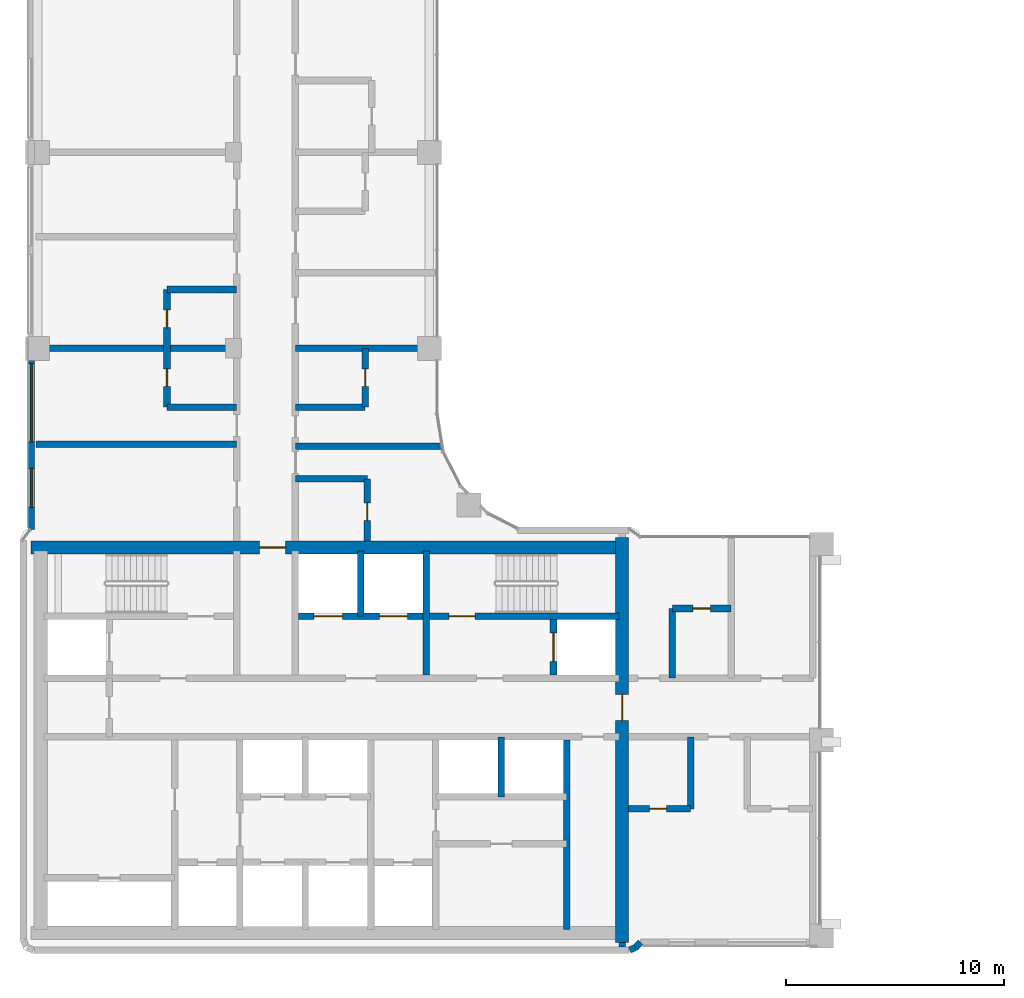
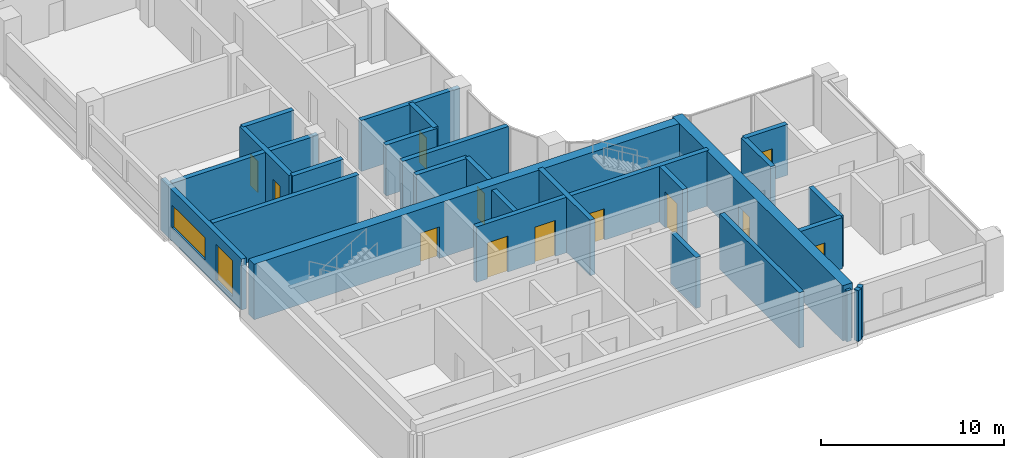
# One storey, part 11 of 21: 27 walls, 12 doors, 2 windows, 14 openings.
"""IFC4 building model written with IfcOpenShell, lengths in metres."""

from ifc_helpers import new_model, si_unit, direction, frame, frame_2d, origin, place, context, subcontext, project, spatial, rectangle, extrude, material, layer, layer_set, type_object, element, fill, save


model = new_model("IFC4")

# Units and contexts
model_context = context("Model", 3, precision=1e-05, world=origin(), true_north=direction((0.0, 1.0)))
body_context = subcontext(model_context, "Body", "Model", "MODEL_VIEW")
ifc_project = project(units=[si_unit("LENGTHUNIT", "METRE"), si_unit("AREAUNIT", "SQUARE_METRE"), si_unit("VOLUMEUNIT", "CUBIC_METRE"), si_unit("PLANEANGLEUNIT", "RADIAN"), si_unit("MASSUNIT", "GRAM", prefix="KILO")], contexts=[model_context])

# Site, building, storey
site_placement = place(None, origin())
site = spatial("IfcSite", under=ifc_project, at=site_placement, CompositionType="ELEMENT")
building_placement = place(site_placement, origin())
building = spatial("IfcBuilding", under=site, at=building_placement, Name="Ogive Portal Towers", CompositionType="ELEMENT")
storey_placement = place(building_placement, frame((0.0, 0.0, 157.0)))
storey = spatial("IfcBuildingStorey", under=building, at=storey_placement, Name="L38", CompositionType="ELEMENT", Elevation=157.0)

# Wall
ifc_material_1 = material(Name="Concrete C60/75", Category="concrete")
ifc_layer_1 = layer(ifc_material_1, 0.300048828125)
ifc_layer_set_1 = layer_set([ifc_layer_1], Name="CORE WALL 300 C60")
wall_type_1 = type_object("IfcWallType", Name="CORE WALL 300 C60", PredefinedType="SHEAR", material=ifc_layer_set_1)
wall_1_placement = place(storey_placement, frame((55.800048828125, 21.800048828125, 0.0), z_axis=(0.0, 0.0, 1.0), x_axis=(0.0, 1.0, 0.0)))
element("IfcWall", 1, at=wall_1_placement, inside=storey, type_object=wall_type_1, Name="Core wall X5 L38", PredefinedType="SHEAR", context=body_context, shape_type="SweptSolid", body=[
    extrude(rectangle(XDim=8.699951171875, YDim=0.300048828125, at=frame_2d((4.35009765625, 0.0))), origin(), (0.0, 0.0, 1.0), 3.699951171875),
])

# Wall, openings, doors
wall_2_placement = place(storey_placement, frame((43.5, 36.199951171875, 0.0), z_axis=(0.0, 0.0, 1.0), x_axis=(1.0, 0.0, 0.0)))
wall_2 = element("IfcWall", 2, at=wall_2_placement, inside=storey, type_object=wall_type_1, Name="Core wall Y3b L38", PredefinedType="SHEAR", context=body_context, shape_type="SweptSolid", body=[
    extrude(rectangle(XDim=14.699951171875, YDim=0.300048828125, at=frame_2d((7.35009765625, 0.0))), origin(), (0.0, 0.0, 1.0), 3.699951171875),
])
opening_1_placement = place(wall_2_placement, frame((6.89990234375, 0.0, 0.0)))
opening_1 = element("IfcOpeningElement", 3, at=opening_1_placement, cuts=wall_2, Name="Opening D15-006", PredefinedType="OPENING", context=body_context, shape_type="SweptSolid", body=[
    extrude(rectangle(XDim=1.199951171875, YDim=2.10009765625, at=frame_2d((0.60009765625, 1.050048828125))), frame((0.0, 0.16015625, 0.0), z_axis=(0.0, -1.0, 0.0), x_axis=(1.0, 0.0, 0.0)), (0.0, 0.0, 1.0), 0.320068359375),
])
opening_2_placement = place(wall_2_placement, frame((0.699951171875, 0.0, 0.0)))
opening_2 = element("IfcOpeningElement", 4, at=opening_2_placement, cuts=wall_2, Name="Opening D15-016", PredefinedType="OPENING", context=body_context, shape_type="SweptSolid", body=[
    extrude(rectangle(XDim=1.300048828125, YDim=2.39990234375, at=frame_2d((0.64990234375, 1.199951171875))), frame((0.0, 0.16015625, 0.0), z_axis=(0.0, -1.0, 0.0), x_axis=(1.0, 0.0, 0.0)), (0.0, 0.0, 1.0), 0.320068359375),
])
opening_3_placement = place(wall_2_placement, frame((3.699951171875, 0.0, 0.0)))
opening_3 = element("IfcOpeningElement", 5, at=opening_3_placement, cuts=wall_2, Name="Opening D15-017", PredefinedType="OPENING", context=body_context, shape_type="SweptSolid", body=[
    extrude(rectangle(XDim=1.300048828125, YDim=2.39990234375, at=frame_2d((0.64990234375, 1.199951171875))), frame((0.0, 0.16015625, 0.0), z_axis=(0.0, -1.0, 0.0), x_axis=(1.0, 0.0, 0.0)), (0.0, 0.0, 1.0), 0.320068359375),
])
ifc_material_2 = material(Name="Stainless steel", Category="steel")
door_type_1 = type_object("IfcDoorType", Name="DT-LD-1300x2400", OperationType="SLIDING_TO_LEFT", PredefinedType="DOOR", material=ifc_material_2)
door_1_placement = place(opening_2_placement, origin())
door_1 = element("IfcDoor", 6, at=door_1_placement, inside=storey, type_object=door_type_1, Name="Door D15-016", OperationType="SLIDING_TO_LEFT", OverallHeight=2.39990234375, OverallWidth=1.300048828125, PredefinedType="DOOR", context=body_context, shape_type="SweptSolid", body=[
    extrude(rectangle(XDim=1.300048828125, YDim=2.39990234375, at=frame_2d((0.64990234375, 1.199951171875))), frame((0.0, 0.02490234375, 0.0), z_axis=(0.0, -1.0, 0.0), x_axis=(1.0, 0.0, 0.0)), (0.0, 0.0, 1.0), 0.050048828125),
])
fill(opening_2, door_1)
door_2_placement = place(opening_3_placement, origin())
door_2 = element("IfcDoor", 7, at=door_2_placement, inside=storey, type_object=door_type_1, Name="Door D15-017", OperationType="SLIDING_TO_LEFT", OverallHeight=2.39990234375, OverallWidth=1.300048828125, PredefinedType="DOOR", context=body_context, shape_type="SweptSolid", body=[
    extrude(rectangle(XDim=1.300048828125, YDim=2.39990234375, at=frame_2d((0.64990234375, 1.199951171875))), frame((0.0, 0.02490234375, 0.0), z_axis=(0.0, -1.0, 0.0), x_axis=(1.0, 0.0, 0.0)), (0.0, 0.0, 1.0), 0.050048828125),
])
fill(opening_3, door_2)
ifc_material_3 = material(Name="Steel fire door", Category="steel")
door_type_2 = type_object("IfcDoorType", Name="DT-SWING-1200x2100-FD90S", OperationType="SINGLE_SWING_LEFT", PredefinedType="DOOR", material=ifc_material_3)
door_3_placement = place(opening_1_placement, origin())
door_3 = element("IfcDoor", 8, at=door_3_placement, inside=storey, type_object=door_type_2, Name="Door D15-006", OperationType="SINGLE_SWING_LEFT", OverallHeight=2.10009765625, OverallWidth=1.199951171875, PredefinedType="DOOR", context=body_context, shape_type="SweptSolid", body=[
    extrude(rectangle(XDim=1.199951171875, YDim=2.10009765625, at=frame_2d((0.60009765625, 1.050048828125))), frame((0.0, 0.02490234375, 0.0), z_axis=(0.0, -1.0, 0.0), x_axis=(1.0, 0.0, 0.0)), (0.0, 0.0, 1.0), 0.050048828125),
])
fill(opening_1, door_3)

# Wall
wall_3_placement = place(storey_placement, frame((49.35009765625, 33.5, 0.0), z_axis=(0.0, 0.0, 1.0), x_axis=(0.0, 1.0, 0.0)))
element("IfcWall", 9, at=wall_3_placement, inside=storey, type_object=wall_type_1, Name="Core wall X9 L38", PredefinedType="SHEAR", context=body_context, shape_type="SweptSolid", body=[
    extrude(rectangle(XDim=5.699951171875, YDim=0.300048828125, at=frame_2d((2.85009765625, 0.0))), origin(), (0.0, 0.0, 1.0), 3.699951171875),
])

# Wall, opening, door
wall_4_placement = place(storey_placement, frame((55.199951171875, 33.5, 0.0), z_axis=(0.0, 0.0, 1.0), x_axis=(0.0, 1.0, 0.0)))
wall_4 = element("IfcWall", 10, at=wall_4_placement, inside=storey, type_object=wall_type_1, Name="Core wall X10 L38", PredefinedType="SHEAR", context=body_context, shape_type="SweptSolid", body=[
    extrude(rectangle(XDim=2.550048828125, YDim=0.300048828125, at=frame_2d((1.27490234375, 0.0))), origin(), (0.0, 0.0, 1.0), 3.699951171875),
])
opening_4_placement = place(wall_4_placement, frame((0.625, 0.0, 0.0)))
opening_4 = element("IfcOpeningElement", 11, at=opening_4_placement, cuts=wall_4, Name="Opening D15-019", PredefinedType="OPENING", context=body_context, shape_type="SweptSolid", body=[
    extrude(rectangle(XDim=1.300048828125, YDim=2.39990234375, at=frame_2d((0.64990234375, 1.199951171875))), frame((0.0, 0.16015625, 0.0), z_axis=(0.0, -1.0, 0.0), x_axis=(1.0, 0.0, 0.0)), (0.0, 0.0, 1.0), 0.320068359375),
])
door_4_placement = place(opening_4_placement, origin())
door_4 = element("IfcDoor", 12, at=door_4_placement, inside=storey, type_object=door_type_1, Name="Door D15-019", OperationType="SLIDING_TO_LEFT", OverallHeight=2.39990234375, OverallWidth=1.300048828125, PredefinedType="DOOR", context=body_context, shape_type="SweptSolid", body=[
    extrude(rectangle(XDim=1.300048828125, YDim=2.39990234375, at=frame_2d((0.64990234375, 1.199951171875))), frame((0.0, 0.02490234375, 0.0), z_axis=(0.0, -1.0, 0.0), x_axis=(1.0, 0.0, 0.0)), (0.0, 0.0, 1.0), 0.050048828125),
])
fill(opening_4, door_4)

ifc_layer_2 = layer(ifc_material_1, 0.60009765625)
ifc_layer_set_2 = layer_set([ifc_layer_2], Name="CORE WALL 600 C60")
wall_type_2 = type_object("IfcWallType", Name="CORE WALL 600 C60", PredefinedType="SHEAR", material=ifc_layer_set_2)
wall_5_placement = place(storey_placement, frame((58.35009765625, 21.199951171875, 0.0), z_axis=(0.0, 0.0, 1.0), x_axis=(0.0, 1.0, 0.0)))
wall_5 = element("IfcWall", 13, at=wall_5_placement, inside=storey, type_object=wall_type_2, Name="Core wall E L38", PredefinedType="SHEAR", context=body_context, shape_type="SweptSolid", body=[
    extrude(rectangle(XDim=18.60009765625, YDim=0.60009765625, at=frame_2d((9.300048828125, 0.0))), origin(), (0.0, 0.0, 1.0), 3.699951171875),
])
opening_5_placement = place(wall_5_placement, frame((10.199951171875, 0.0, 0.0)))
opening_5 = element("IfcOpeningElement", 14, at=opening_5_placement, cuts=wall_5, Name="Opening D15-010", PredefinedType="OPENING", context=body_context, shape_type="SweptSolid", body=[
    extrude(rectangle(XDim=1.199951171875, YDim=2.10009765625, at=frame_2d((0.60009765625, 1.050048828125))), frame((0.0, 0.31005859375, 0.0), z_axis=(0.0, -1.0, 0.0), x_axis=(1.0, 0.0, 0.0)), (0.0, 0.0, 1.0), 0.6201171875),
])
door_5_placement = place(opening_5_placement, origin())
door_5 = element("IfcDoor", 15, at=door_5_placement, inside=storey, type_object=door_type_2, Name="Door D15-010", OperationType="SINGLE_SWING_LEFT", OverallHeight=2.10009765625, OverallWidth=1.199951171875, PredefinedType="DOOR", context=body_context, shape_type="SweptSolid", body=[
    extrude(rectangle(XDim=1.199951171875, YDim=2.10009765625, at=frame_2d((0.60009765625, 1.050048828125))), frame((0.0, 0.02490234375, 0.0), z_axis=(0.0, -1.0, 0.0), x_axis=(1.0, 0.0, 0.0)), (0.0, 0.0, 1.0), 0.050048828125),
])
fill(opening_5, door_5)

wall_6_placement = place(storey_placement, frame((31.199951171875, 39.35009765625, 0.0), z_axis=(0.0, 0.0, 1.0), x_axis=(1.0, 0.0, 0.0)))
wall_6 = element("IfcWall", 16, at=wall_6_placement, inside=storey, type_object=wall_type_2, Name="Core wall N L38", PredefinedType="SHEAR", context=body_context, shape_type="SweptSolid", body=[
    extrude(rectangle(XDim=27.0, YDim=0.60009765625, at=frame_2d((13.5, 0.0))), origin(), (0.0, 0.0, 1.0), 3.699951171875),
])
opening_6_placement = place(wall_6_placement, frame((10.5, 0.0, 0.0)))
opening_6 = element("IfcOpeningElement", 17, at=opening_6_placement, cuts=wall_6, Name="Opening D15-011", PredefinedType="OPENING", context=body_context, shape_type="SweptSolid", body=[
    extrude(rectangle(XDim=1.199951171875, YDim=2.10009765625, at=frame_2d((0.60009765625, 1.050048828125))), frame((0.0, 0.31005859375, 0.0), z_axis=(0.0, -1.0, 0.0), x_axis=(1.0, 0.0, 0.0)), (0.0, 0.0, 1.0), 0.6201171875),
])
door_6_placement = place(opening_6_placement, origin())
door_6 = element("IfcDoor", 18, at=door_6_placement, inside=storey, type_object=door_type_2, Name="Door D15-011", OperationType="SINGLE_SWING_RIGHT", OverallHeight=2.10009765625, OverallWidth=1.199951171875, PredefinedType="DOOR", context=body_context, shape_type="SweptSolid", body=[
    extrude(rectangle(XDim=1.199951171875, YDim=2.10009765625, at=frame_2d((0.60009765625, 1.050048828125))), frame((0.0, 0.02490234375, 0.0), z_axis=(0.0, -1.0, 0.0), x_axis=(1.0, 0.0, 0.0)), (0.0, 0.0, 1.0), 0.050048828125),
])
fill(opening_6, door_6)

# Wall, openings, windows
ifc_material_4 = material(Name="Limestone cladding on lightweight block wall", Category="masonry")
ifc_layer_3 = layer(ifc_material_4, 0.300048828125)
ifc_layer_set_3 = layer_set([ifc_layer_3], Name="EXTERNAL WALL 300 STONE")
wall_type_3 = type_object("IfcWallType", Name="EXTERNAL WALL 300 STONE", PredefinedType="SOLIDWALL", material=ifc_layer_set_3)
wall_7_placement = place(storey_placement, frame((31.22509765625, 49.050048828125, 0.0), z_axis=(0.0, 0.0, 1.0), x_axis=(0.0, -1.0, 0.0)))
wall_7 = element("IfcWall", 19, at=wall_7_placement, inside=storey, type_object=wall_type_3, Name="A:L38:f13:r0:wall4", PredefinedType="SOLIDWALL", context=body_context, shape_type="SweptSolid", body=[
    extrude(rectangle(XDim=8.86962890625, YDim=0.300048828125, at=frame_2d((4.434814453125, 0.0))), origin(), (0.0, 0.0, 1.0), 3.39990234375),
])
opening_7_placement = place(wall_7_placement, frame((1.25, 0.0, 0.89990234375)))
opening_7 = element("IfcOpeningElement", 20, at=opening_7_placement, cuts=wall_7, Name="Opening WN12", PredefinedType="OPENING", context=body_context, shape_type="SweptSolid", body=[
    extrude(rectangle(XDim=3.60009765625, YDim=1.5, at=frame_2d((1.800048828125, 0.75))), frame((0.0, 0.16015625, 0.0), z_axis=(0.0, -1.0, 0.0), x_axis=(1.0, 0.0, 0.0)), (0.0, 0.0, 1.0), 0.320068359375),
])
opening_8_placement = place(wall_7_placement, frame((6.059814453125, 0.0, 0.300048828125)))
opening_8 = element("IfcOpeningElement", 21, at=opening_8_placement, cuts=wall_7, Name="Opening WN10", PredefinedType="OPENING", context=body_context, shape_type="SweptSolid", body=[
    extrude(rectangle(XDim=1.800048828125, YDim=2.39990234375, at=frame_2d((0.89990234375, 1.199951171875))), frame((0.0, 0.16015625, 0.0), z_axis=(0.0, -1.0, 0.0), x_axis=(1.0, 0.0, 0.0)), (0.0, 0.0, 1.0), 0.320068359375),
])
ifc_material_5 = material(Name="Glass, clear low-iron insulated glazing", Category="glass")
window_type_1 = type_object("IfcWindowType", Name="WINDOW RIBBON 3600x1500", PartitioningType="TRIPLE_PANEL_VERTICAL", PredefinedType="WINDOW", material=ifc_material_5)
window_1_placement = place(opening_7_placement, origin())
window_1 = element("IfcWindow", 22, at=window_1_placement, inside=storey, type_object=window_type_1, Name="A:L38:f13:r0:w4", OverallHeight=1.5, OverallWidth=3.60009765625, PartitioningType="SINGLE_PANEL", PredefinedType="WINDOW", context=body_context, shape_type="SweptSolid", body=[
    extrude(rectangle(XDim=3.60009765625, YDim=1.5, at=frame_2d((1.800048828125, 0.75))), frame((0.0, 0.030029296875, 0.0), z_axis=(0.0, -1.0, 0.0), x_axis=(1.0, 0.0, 0.0)), (0.0, 0.0, 1.0), 0.06005859375),
])
fill(opening_7, window_1)
window_type_2 = type_object("IfcWindowType", Name="WINDOW SUITE CORNER 1800x2400", PartitioningType="DOUBLE_PANEL_VERTICAL", PredefinedType="WINDOW", material=ifc_material_5)
window_2_placement = place(opening_8_placement, origin())
window_2 = element("IfcWindow", 23, at=window_2_placement, inside=storey, type_object=window_type_2, Name="A:L38:f13:r0:w5", OverallHeight=2.39990234375, OverallWidth=1.800048828125, PartitioningType="SINGLE_PANEL", PredefinedType="WINDOW", context=body_context, shape_type="SweptSolid", body=[
    extrude(rectangle(XDim=1.800048828125, YDim=2.39990234375, at=frame_2d((0.89990234375, 1.199951171875))), frame((0.0, 0.030029296875, 0.0), z_axis=(0.0, -1.0, 0.0), x_axis=(1.0, 0.0, 0.0)), (0.0, 0.0, 1.0), 0.06005859375),
])
fill(opening_8, window_2)

# Walls
wall_8_placement = place(storey_placement, frame((58.69775390625, 20.861328125, 0.0), z_axis=(0.0, 0.0, 1.0), x_axis=(0.923757413239, 0.38297812142, 0.0)))
element("IfcWall", 24, at=wall_8_placement, inside=storey, type_object=wall_type_3, Name="A:L38:f19:r0:wall", PredefinedType="SOLIDWALL", context=body_context, shape_type="SweptSolid", body=[
    extrude(rectangle(XDim=0.275390625, YDim=0.300048828125, at=frame_2d((0.1376953125, 0.0))), origin(), (0.0, 0.0, 1.0), 3.39990234375),
])
wall_9_placement = place(storey_placement, frame((58.9521484375, 20.966796875, 0.0), z_axis=(0.0, 0.0, 1.0), x_axis=(0.702144810536, 0.712034174065, 0.0)))
element("IfcWall", 25, at=wall_9_placement, inside=storey, type_object=wall_type_3, Name="A:L38:f20:r0:wall", PredefinedType="SOLIDWALL", context=body_context, shape_type="SweptSolid", body=[
    extrude(rectangle(XDim=0.345703125, YDim=0.300048828125, at=frame_2d((0.1728515625, 0.0))), origin(), (0.0, 0.0, 1.0), 3.39990234375),
])
ifc_material_6 = material(Name="Gypsum board partition on steel studs", Category="steel")
ifc_layer_4 = layer(ifc_material_6, 0.300048828125)
ifc_layer_set_4 = layer_set([ifc_layer_4], Name="WT-PART-300-EI 120")
wall_type_4 = type_object("IfcWallType", Name="WT-PART-300-EI 120", PredefinedType="PARTITIONING", material=ifc_layer_set_4)
wall_10_placement = place(storey_placement, frame((58.35009765625, 21.199951171875, 0.0), z_axis=(0.0, 0.0, 1.0), x_axis=(0.0, -1.0, 0.0)))
element("IfcWall", 26, at=wall_10_placement, inside=storey, type_object=wall_type_4, Name="Wall L38:wc01", PredefinedType="PARTITIONING", context=body_context, shape_type="SweptSolid", body=[
    extrude(rectangle(XDim=0.18994140625, YDim=0.300048828125, at=frame_2d((0.094970703125, 0.0))), origin(), (0.0, 0.0, 1.0), 3.39990234375),
])

# Wall, opening, door
ifc_layer_5 = layer(ifc_material_6, 0.300048828125)
ifc_layer_set_5 = layer_set([ifc_layer_5], Name="WT-PART-300-EI 60")
wall_type_5 = type_object("IfcWallType", Name="WT-PART-300-EI 60", PredefinedType="PARTITIONING", material=ifc_layer_set_5)
wall_11_placement = place(storey_placement, frame((58.64990234375, 27.35009765625, 0.0), z_axis=(0.0, 0.0, 1.0), x_axis=(1.0, 0.0, 0.0)))
wall_11 = element("IfcWall", 27, at=wall_11_placement, inside=storey, type_object=wall_type_5, Name="Wall L38:w002", PredefinedType="PARTITIONING", context=body_context, shape_type="SweptSolid", body=[
    extrude(rectangle(XDim=2.85009765625, YDim=0.300048828125, at=frame_2d((1.425048828125, 0.0))), origin(), (0.0, 0.0, 1.0), 3.39990234375),
])
opening_9_placement = place(wall_11_placement, frame((0.949951171875, 0.0, 0.0)))
opening_9 = element("IfcOpeningElement", 28, at=opening_9_placement, cuts=wall_11, Name="Opening D15-028", PredefinedType="OPENING", context=body_context, shape_type="SweptSolid", body=[
    extrude(rectangle(XDim=0.800048828125, YDim=2.10009765625, at=frame_2d((0.39990234375, 1.050048828125))), frame((0.0, 0.16015625, 0.0), z_axis=(0.0, -1.0, 0.0), x_axis=(1.0, 0.0, 0.0)), (0.0, 0.0, 1.0), 0.320068359375),
])
door_type_3 = type_object("IfcDoorType", Name="DT-BATH-800x2100-FD60S", OperationType="SINGLE_SWING_LEFT", PredefinedType="DOOR", material=ifc_material_3)
door_7_placement = place(opening_9_placement, origin())
door_7 = element("IfcDoor", 29, at=door_7_placement, inside=storey, type_object=door_type_3, Name="Door D15-028", OperationType="SINGLE_SWING_LEFT", OverallHeight=2.10009765625, OverallWidth=0.800048828125, PredefinedType="DOOR", context=body_context, shape_type="SweptSolid", body=[
    extrude(rectangle(XDim=0.800048828125, YDim=2.10009765625, at=frame_2d((0.39990234375, 1.050048828125))), frame((0.0, 0.02490234375, 0.0), z_axis=(0.0, -1.0, 0.0), x_axis=(1.0, 0.0, 0.0)), (0.0, 0.0, 1.0), 0.050048828125),
])
fill(opening_9, door_7)

wall_12_placement = place(storey_placement, frame((60.656005859375, 36.550048828125, 0.0), z_axis=(0.0, 0.0, 1.0), x_axis=(1.0, 0.0, 0.0)))
wall_12 = element("IfcWall", 30, at=wall_12_placement, inside=storey, type_object=wall_type_5, Name="Wall L38:w008", PredefinedType="PARTITIONING", context=body_context, shape_type="SweptSolid", body=[
    extrude(rectangle(XDim=2.699951171875, YDim=0.300048828125, at=frame_2d((1.35009765625, 0.0))), origin(), (0.0, 0.0, 1.0), 3.39990234375),
])
opening_10_placement = place(wall_12_placement, frame((0.949951171875, 0.0, 0.0)))
opening_10 = element("IfcOpeningElement", 31, at=opening_10_placement, cuts=wall_12, Name="Opening D15-025", PredefinedType="OPENING", context=body_context, shape_type="SweptSolid", body=[
    extrude(rectangle(XDim=0.800048828125, YDim=2.10009765625, at=frame_2d((0.39990234375, 1.050048828125))), frame((0.0, 0.16015625, 0.0), z_axis=(0.0, -1.0, 0.0), x_axis=(1.0, 0.0, 0.0)), (0.0, 0.0, 1.0), 0.320068359375),
])
door_8_placement = place(opening_10_placement, origin())
door_8 = element("IfcDoor", 32, at=door_8_placement, inside=storey, type_object=door_type_3, Name="Door D15-025", OperationType="SINGLE_SWING_LEFT", OverallHeight=2.10009765625, OverallWidth=0.800048828125, PredefinedType="DOOR", context=body_context, shape_type="SweptSolid", body=[
    extrude(rectangle(XDim=0.800048828125, YDim=2.10009765625, at=frame_2d((0.39990234375, 1.050048828125))), frame((0.0, 0.02490234375, 0.0), z_axis=(0.0, -1.0, 0.0), x_axis=(1.0, 0.0, 0.0)), (0.0, 0.0, 1.0), 0.050048828125),
])
fill(opening_10, door_8)

# Walls
wall_13_placement = place(storey_placement, frame((43.35009765625, 42.5, 0.0), z_axis=(0.0, 0.0, 1.0), x_axis=(1.0, 0.0, 0.0)))
element("IfcWall", 33, at=wall_13_placement, inside=storey, type_object=wall_type_5, Name="Wall L38:w009", PredefinedType="PARTITIONING", context=body_context, shape_type="SweptSolid", body=[
    extrude(rectangle(XDim=3.2998046875, YDim=0.300048828125, at=frame_2d((1.64990234375, 0.0))), origin(), (0.0, 0.0, 1.0), 3.39990234375),
])
wall_14_placement = place(storey_placement, frame((43.35009765625, 44.0, 0.0), z_axis=(0.0, 0.0, 1.0), x_axis=(1.0, 0.0, 0.0)))
element("IfcWall", 34, at=wall_14_placement, inside=storey, type_object=wall_type_5, Name="Wall L38:w010", PredefinedType="PARTITIONING", context=body_context, shape_type="SweptSolid", body=[
    extrude(rectangle(XDim=6.700927734375, YDim=0.300048828125, at=frame_2d((3.3505859375, 0.0))), origin(), (0.0, 0.0, 1.0), 3.39990234375),
])
wall_15_placement = place(storey_placement, frame((31.425048828125, 44.10009765625, 0.0), z_axis=(0.0, 0.0, 1.0), x_axis=(1.0, 0.0, 0.0)))
element("IfcWall", 35, at=wall_15_placement, inside=storey, type_object=wall_type_5, Name="Wall L38:w011", PredefinedType="PARTITIONING", context=body_context, shape_type="SweptSolid", body=[
    extrude(rectangle(XDim=9.224853515625, YDim=0.300048828125, at=frame_2d((4.6123046875, 0.0))), origin(), (0.0, 0.0, 1.0), 3.39990234375),
])
for number, where, z_axis, x_axis, name in (
    (36, (37.449951171875, 45.800048828125, 0.0), (0.0, 0.0, 1.0), (1.0, 0.0, 0.0), "Wall L38:w012"),
    (37, (43.35009765625, 45.800048828125, 0.0), (0.0, 0.0, 1.0), (1.0, 0.0, 0.0), "Wall L38:w013"),
):
    element("IfcWall", number, at=place(storey_placement, frame(where, z_axis=z_axis, x_axis=x_axis)), inside=storey, type_object=wall_type_5, Name=name, PredefinedType="PARTITIONING", context=body_context, shape_type="SweptSolid", body=[
        extrude(rectangle(XDim=3.199951171875, YDim=0.300048828125, at=frame_2d((1.60009765625, 0.0))), origin(), (0.0, 0.0, 1.0), 3.39990234375),
    ])
wall_16_placement = place(storey_placement, frame((31.425048828125, 48.5, 0.0), z_axis=(0.0, 0.0, 1.0), x_axis=(1.0, 0.0, 0.0)))
element("IfcWall", 38, at=wall_16_placement, inside=storey, type_object=wall_type_5, Name="Wall L38:w014", PredefinedType="PARTITIONING", context=body_context, shape_type="SweptSolid", body=[
    extrude(rectangle(XDim=9.224853515625, YDim=0.300048828125, at=frame_2d((4.6123046875, 0.0))), origin(), (0.0, 0.0, 1.0), 3.39990234375),
])
wall_17_placement = place(storey_placement, frame((43.35009765625, 48.5, 0.0), z_axis=(0.0, 0.0, 1.0), x_axis=(1.0, 0.0, 0.0)))
element("IfcWall", 39, at=wall_17_placement, inside=storey, type_object=wall_type_5, Name="Wall L38:w015", PredefinedType="PARTITIONING", context=body_context, shape_type="SweptSolid", body=[
    extrude(rectangle(XDim=6.224853515625, YDim=0.300048828125, at=frame_2d((3.1123046875, 0.0))), origin(), (0.0, 0.0, 1.0), 3.39990234375),
])
wall_18_placement = place(storey_placement, frame((37.449951171875, 51.199951171875, 0.0), z_axis=(0.0, 0.0, 1.0), x_axis=(1.0, 0.0, 0.0)))
element("IfcWall", 40, at=wall_18_placement, inside=storey, type_object=wall_type_5, Name="Wall L38:w016", PredefinedType="PARTITIONING", context=body_context, shape_type="SweptSolid", body=[
    extrude(rectangle(XDim=3.199951171875, YDim=0.300048828125, at=frame_2d((1.60009765625, 0.0))), origin(), (0.0, 0.0, 1.0), 3.39990234375),
])

# Wall, openings, doors
wall_19_placement = place(storey_placement, frame((37.449951171875, 45.800048828125, 0.0), z_axis=(0.0, 0.0, 1.0), x_axis=(0.0, 1.0, 0.0)))
wall_19 = element("IfcWall", 41, at=wall_19_placement, inside=storey, type_object=wall_type_5, Name="Wall L38:w028", PredefinedType="PARTITIONING", context=body_context, shape_type="SweptSolid", body=[
    extrude(rectangle(XDim=5.39990234375, YDim=0.300048828125, at=frame_2d((2.699951171875, 0.0))), origin(), (0.0, 0.0, 1.0), 3.39990234375),
])
opening_11_placement = place(wall_19_placement, frame((0.949951171875, 0.0, 0.0)))
opening_11 = element("IfcOpeningElement", 42, at=opening_11_placement, cuts=wall_19, Name="Opening D15-036", PredefinedType="OPENING", context=body_context, shape_type="SweptSolid", body=[
    extrude(rectangle(XDim=0.800048828125, YDim=2.10009765625, at=frame_2d((0.39990234375, 1.050048828125))), frame((0.0, 0.16015625, 0.0), z_axis=(0.0, -1.0, 0.0), x_axis=(1.0, 0.0, 0.0)), (0.0, 0.0, 1.0), 0.320068359375),
])
opening_12_placement = place(wall_19_placement, frame((3.64990234375, 0.0, 0.0)))
opening_12 = element("IfcOpeningElement", 43, at=opening_12_placement, cuts=wall_19, Name="Opening D15-041", PredefinedType="OPENING", context=body_context, shape_type="SweptSolid", body=[
    extrude(rectangle(XDim=0.800048828125, YDim=2.10009765625, at=frame_2d((0.39990234375, 1.050048828125))), frame((0.0, 0.16015625, 0.0), z_axis=(0.0, -1.0, 0.0), x_axis=(1.0, 0.0, 0.0)), (0.0, 0.0, 1.0), 0.320068359375),
])
door_9_placement = place(opening_11_placement, origin())
door_9 = element("IfcDoor", 44, at=door_9_placement, inside=storey, type_object=door_type_3, Name="Door D15-036", OperationType="SINGLE_SWING_RIGHT", OverallHeight=2.10009765625, OverallWidth=0.800048828125, PredefinedType="DOOR", context=body_context, shape_type="SweptSolid", body=[
    extrude(rectangle(XDim=0.800048828125, YDim=2.10009765625, at=frame_2d((0.39990234375, 1.050048828125))), frame((0.0, 0.02490234375, 0.0), z_axis=(0.0, -1.0, 0.0), x_axis=(1.0, 0.0, 0.0)), (0.0, 0.0, 1.0), 0.050048828125),
])
fill(opening_11, door_9)
door_10_placement = place(opening_12_placement, origin())
door_10 = element("IfcDoor", 45, at=door_10_placement, inside=storey, type_object=door_type_3, Name="Door D15-041", OperationType="SINGLE_SWING_LEFT", OverallHeight=2.10009765625, OverallWidth=0.800048828125, PredefinedType="DOOR", context=body_context, shape_type="SweptSolid", body=[
    extrude(rectangle(XDim=0.800048828125, YDim=2.10009765625, at=frame_2d((0.39990234375, 1.050048828125))), frame((0.0, 0.02490234375, 0.0), z_axis=(0.0, -1.0, 0.0), x_axis=(1.0, 0.0, 0.0)), (0.0, 0.0, 1.0), 0.050048828125),
])
fill(opening_12, door_10)

# Wall, opening, door
wall_20_placement = place(storey_placement, frame((46.550048828125, 45.800048828125, 0.0), z_axis=(0.0, 0.0, 1.0), x_axis=(0.0, 1.0, 0.0)))
wall_20 = element("IfcWall", 46, at=wall_20_placement, inside=storey, type_object=wall_type_5, Name="Wall L38:w034", PredefinedType="PARTITIONING", context=body_context, shape_type="SweptSolid", body=[
    extrude(rectangle(XDim=2.699951171875, YDim=0.300048828125, at=frame_2d((1.35009765625, 0.0))), origin(), (0.0, 0.0, 1.0), 3.39990234375),
])
opening_13_placement = place(wall_20_placement, frame((0.949951171875, 0.0, 0.0)))
opening_13 = element("IfcOpeningElement", 47, at=opening_13_placement, cuts=wall_20, Name="Opening D15-033", PredefinedType="OPENING", context=body_context, shape_type="SweptSolid", body=[
    extrude(rectangle(XDim=0.800048828125, YDim=2.10009765625, at=frame_2d((0.39990234375, 1.050048828125))), frame((0.0, 0.16015625, 0.0), z_axis=(0.0, -1.0, 0.0), x_axis=(1.0, 0.0, 0.0)), (0.0, 0.0, 1.0), 0.320068359375),
])
door_11_placement = place(opening_13_placement, origin())
door_11 = element("IfcDoor", 48, at=door_11_placement, inside=storey, type_object=door_type_3, Name="Door D15-033", OperationType="SINGLE_SWING_RIGHT", OverallHeight=2.10009765625, OverallWidth=0.800048828125, PredefinedType="DOOR", context=body_context, shape_type="SweptSolid", body=[
    extrude(rectangle(XDim=0.800048828125, YDim=2.10009765625, at=frame_2d((0.39990234375, 1.050048828125))), frame((0.0, 0.02490234375, 0.0), z_axis=(0.0, -1.0, 0.0), x_axis=(1.0, 0.0, 0.0)), (0.0, 0.0, 1.0), 0.050048828125),
])
fill(opening_13, door_11)

wall_21_placement = place(storey_placement, frame((46.64990234375, 39.64990234375, 0.0), z_axis=(0.0, 0.0, 1.0), x_axis=(0.0, 1.0, 0.0)))
wall_21 = element("IfcWall", 49, at=wall_21_placement, inside=storey, type_object=wall_type_5, Name="Wall L38:w036", PredefinedType="PARTITIONING", context=body_context, shape_type="SweptSolid", body=[
    extrude(rectangle(XDim=2.85009765625, YDim=0.300048828125, at=frame_2d((1.425048828125, 0.0))), origin(), (0.0, 0.0, 1.0), 3.39990234375),
])
opening_14_placement = place(wall_21_placement, frame((0.949951171875, 0.0, 0.0)))
opening_14 = element("IfcOpeningElement", 50, at=opening_14_placement, cuts=wall_21, Name="Opening D15-031", PredefinedType="OPENING", context=body_context, shape_type="SweptSolid", body=[
    extrude(rectangle(XDim=0.800048828125, YDim=2.10009765625, at=frame_2d((0.39990234375, 1.050048828125))), frame((0.0, 0.16015625, 0.0), z_axis=(0.0, -1.0, 0.0), x_axis=(1.0, 0.0, 0.0)), (0.0, 0.0, 1.0), 0.320068359375),
])
door_12_placement = place(opening_14_placement, origin())
door_12 = element("IfcDoor", 51, at=door_12_placement, inside=storey, type_object=door_type_3, Name="Door D15-031", OperationType="SINGLE_SWING_LEFT", OverallHeight=2.10009765625, OverallWidth=0.800048828125, PredefinedType="DOOR", context=body_context, shape_type="SweptSolid", body=[
    extrude(rectangle(XDim=0.800048828125, YDim=2.10009765625, at=frame_2d((0.39990234375, 1.050048828125))), frame((0.0, 0.02490234375, 0.0), z_axis=(0.0, -1.0, 0.0), x_axis=(1.0, 0.0, 0.0)), (0.0, 0.0, 1.0), 0.050048828125),
])
fill(opening_14, door_12)

# Walls
wall_22_placement = place(storey_placement, frame((60.656005859375, 33.35009765625, 0.0), z_axis=(0.0, 0.0, 1.0), x_axis=(0.0, 1.0, 0.0)))
element("IfcWall", 52, at=wall_22_placement, inside=storey, type_object=wall_type_5, Name="Wall L38:w038", PredefinedType="PARTITIONING", context=body_context, shape_type="SweptSolid", body=[
    extrude(rectangle(XDim=3.199951171875, YDim=0.300048828125, at=frame_2d((1.60009765625, 0.0))), origin(), (0.0, 0.0, 1.0), 3.39990234375),
])
wall_23_placement = place(storey_placement, frame((61.5, 27.35009765625, 0.0), z_axis=(0.0, 0.0, 1.0), x_axis=(0.0, 1.0, 0.0)))
element("IfcWall", 53, at=wall_23_placement, inside=storey, type_object=wall_type_5, Name="Wall L38:w039", PredefinedType="PARTITIONING", context=body_context, shape_type="SweptSolid", body=[
    extrude(rectangle(XDim=3.2998046875, YDim=0.300048828125, at=frame_2d((1.64990234375, 0.0))), origin(), (0.0, 0.0, 1.0), 3.39990234375),
])
ifc_material_7 = material(Name="Concrete C40/50", Category="concrete")
ifc_layer_6 = layer(ifc_material_7, 0.300048828125)
ifc_layer_set_6 = layer_set([ifc_layer_6], Name="WT-SHAFT-300")
wall_type_6 = type_object("IfcWallType", Name="WT-SHAFT-300", PredefinedType="SOLIDWALL", material=ifc_layer_set_6)
wall_24_placement = place(storey_placement, frame((46.35009765625, 36.199951171875, 0.0), z_axis=(0.0, 0.0, 1.0), x_axis=(0.0, 1.0, 0.0)))
element("IfcWall", 54, at=wall_24_placement, inside=storey, type_object=wall_type_6, Name="Wall pw:009:L38", PredefinedType="SOLIDWALL", context=body_context, shape_type="SweptSolid", body=[
    extrude(rectangle(XDim=3.0, YDim=0.300048828125, at=frame_2d((1.5, 0.0))), origin(), (0.0, 0.0, 1.0), 3.39990234375),
])
wall_25_placement = place(storey_placement, frame((52.800048828125, 27.89990234375, 0.0), z_axis=(0.0, 0.0, 1.0), x_axis=(0.0, 1.0, 0.0)))
element("IfcWall", 55, at=wall_25_placement, inside=storey, type_object=wall_type_6, Name="Wall pw:010:L38", PredefinedType="SOLIDWALL", context=body_context, shape_type="SweptSolid", body=[
    extrude(rectangle(XDim=2.75, YDim=0.300048828125, at=frame_2d((1.375, 0.0))), origin(), (0.0, 0.0, 1.0), 3.39990234375),
])

save(model, "model.ifc")
